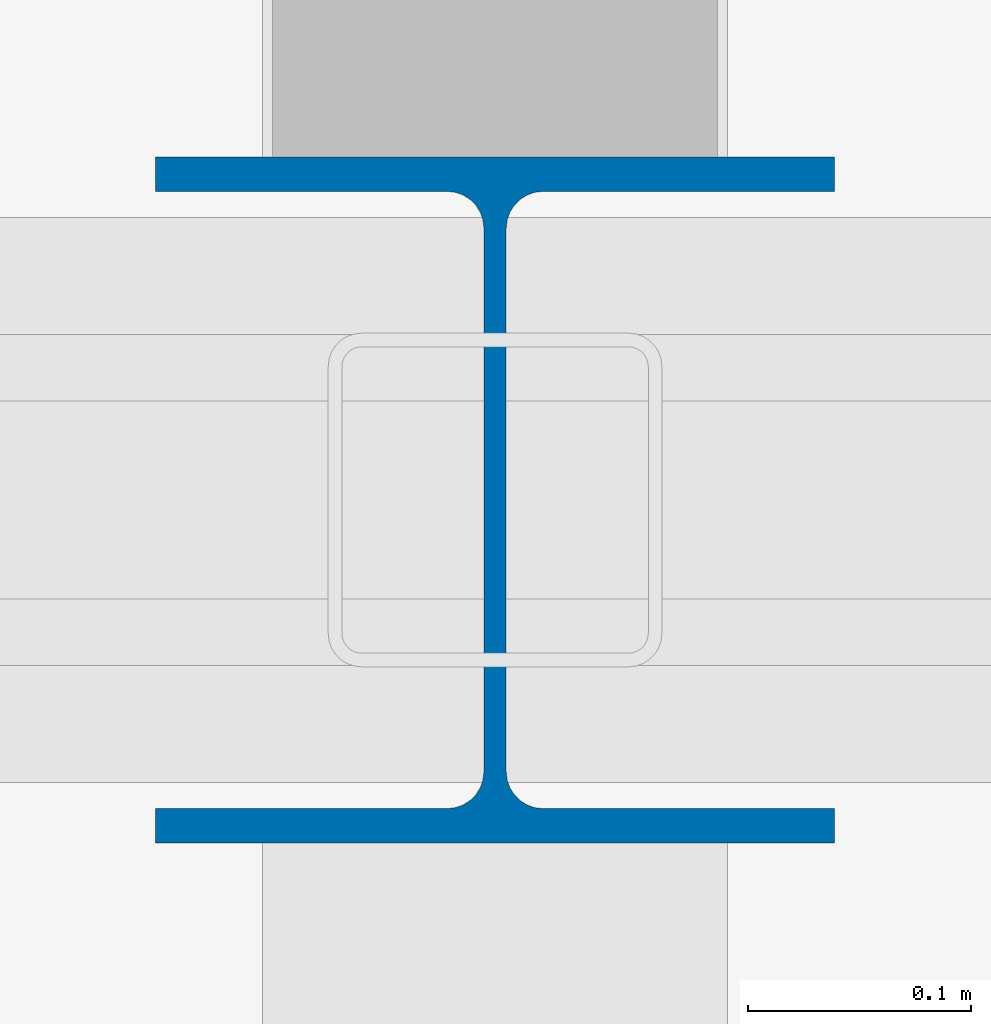
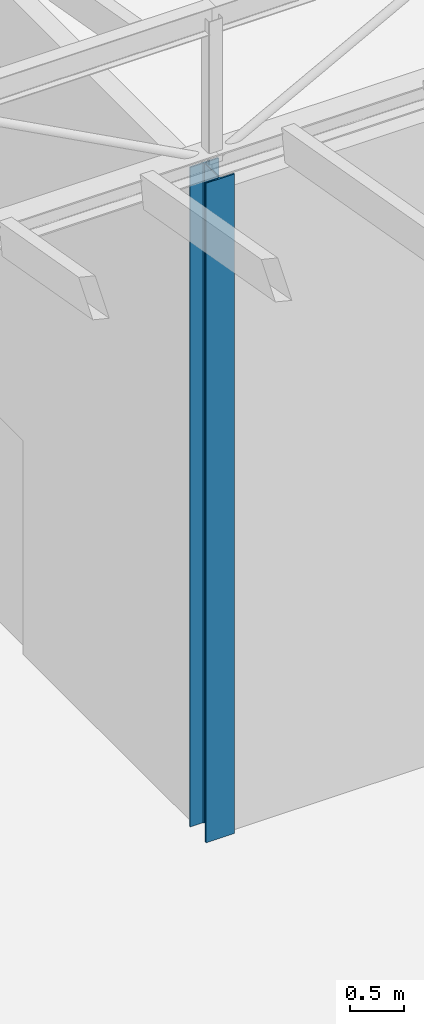
# One storey, part 2 of 90: 1 column.
"""IFC4 building model written with IfcOpenShell, lengths in metres."""

from ifc_helpers import new_model, si_unit, direction, frame, origin, origin_2d, place, context, subcontext, project, spatial, i_section, extrude, material, material_profile, profile_set, type_object, element, save


model = new_model("IFC4")

# Units and contexts
model_context = context("Model", 3, precision=1e-05, world=origin(), true_north=direction((0.0, 1.0)))
body_context = subcontext(model_context, "Body", "Model", "MODEL_VIEW")
ifc_project = project(units=[si_unit("LENGTHUNIT", "METRE"), si_unit("AREAUNIT", "SQUARE_METRE"), si_unit("VOLUMEUNIT", "CUBIC_METRE"), si_unit("PLANEANGLEUNIT", "RADIAN"), si_unit("MASSUNIT", "GRAM", prefix="KILO")], contexts=[model_context])

# Site, building, storey
site_placement = place(None, origin())
site = spatial("IfcSite", under=ifc_project, at=site_placement, CompositionType="ELEMENT")
building_placement = place(site_placement, origin())
building = spatial("IfcBuilding", under=site, at=building_placement, Name="Halyard Row Museum", CompositionType="ELEMENT")
storey_placement = place(building_placement, frame((0.0, 0.0, 13.39990234375)))
storey = spatial("IfcBuildingStorey", under=building, at=storey_placement, Name="L03", CompositionType="ELEMENT", Elevation=13.39990234375)

# Column
ifc_material = material(Name="Steel Grade 300", Category="steel")
ifc_material_profile = material_profile(ifc_material, i_section(OverallWidth=0.304931640625, OverallDepth=0.30810546875, WebThickness=0.010009765625, FlangeThickness=0.015380859375, FilletRadius=0.0166015625, at=origin_2d()), Name="310UC96.8")
ifc_profile_set = profile_set([ifc_material_profile], Name="Steel Grade 300")
column_type = type_object("IfcColumnType", Name="Column 310UC96.8 interior", PredefinedType="COLUMN", material=ifc_profile_set)
column_placement = place(storey_placement, frame((63.0, 27.0, 0.0), z_axis=(0.0, 0.0, 1.0), x_axis=(1.0, 0.0, 0.0)))
element("IfcColumn", 1, at=column_placement, inside=storey, type_object=column_type, Name="Column 8D L03", PredefinedType="COLUMN", context=body_context, shape_type="SweptSolid", body=[
    extrude(i_section(OverallWidth=0.304931640625, OverallDepth=0.30810546875, WebThickness=0.010009765625, FlangeThickness=0.015380859375, FilletRadius=0.0166015625, at=origin_2d()), origin(), (0.0, 0.0, 1.0), 7.400146484375),
])

save(model, "model.ifc")
